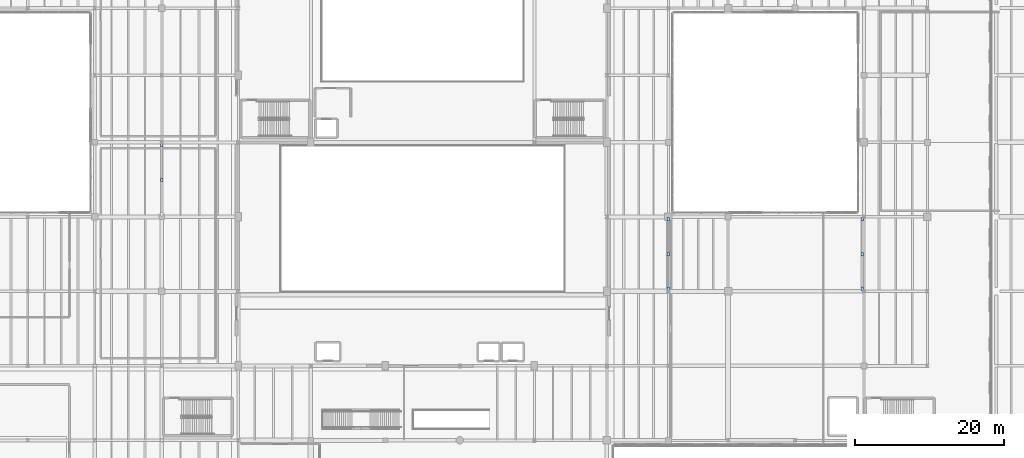
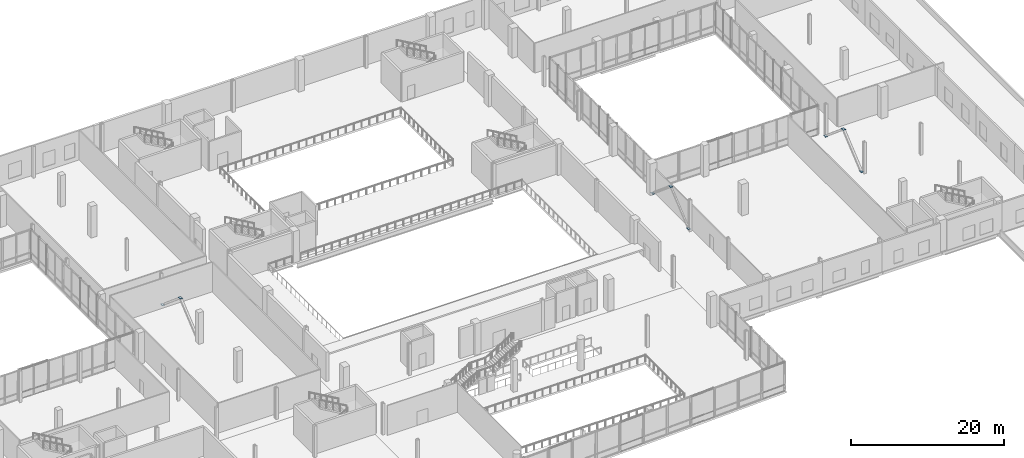
# One storey, part 52 of 73: 8 plates.
"""IFC4 building model written with IfcOpenShell, lengths in metres."""

from ifc_helpers import new_model, si_unit, direction, frame, origin, origin_2d, place, context, subcontext, project, spatial, rectangle, extrude, material, layer, layer_set, type_object, element, save


model = new_model("IFC4")

# Units and contexts
model_context = context("Model", 3, precision=1e-05, world=origin(), true_north=direction((0.0, 1.0)))
body_context = subcontext(model_context, "Body", "Model", "MODEL_VIEW")
ifc_project = project(units=[si_unit("LENGTHUNIT", "METRE"), si_unit("AREAUNIT", "SQUARE_METRE"), si_unit("VOLUMEUNIT", "CUBIC_METRE"), si_unit("PLANEANGLEUNIT", "RADIAN"), si_unit("MASSUNIT", "GRAM", prefix="KILO")], contexts=[model_context])

# Site, building, storey
site_placement = place(None, origin())
site = spatial("IfcSite", under=ifc_project, at=site_placement, CompositionType="ELEMENT")
building_placement = place(site_placement, origin())
building = spatial("IfcBuilding", under=site, at=building_placement, Name="Trimount Lyric Opera House", CompositionType="ELEMENT")
storey_placement = place(building_placement, frame((0.0, 0.0, 10.0)))
storey = spatial("IfcBuildingStorey", under=building, at=storey_placement, Name="L02", CompositionType="ELEMENT", Elevation=10.0)

# Plates
ifc_material = material(Name="Steel ASTM A572 Grade 50", Category="steel")
ifc_layer = layer(ifc_material, 0.02490234375)
ifc_layer_set = layer_set([ifc_layer], Name="KN-02")
plate_type = type_object("IfcPlateType", Name="KN-02", PredefinedType="USERDEFINED", material=ifc_layer_set)
for number, where, z_axis, x_axis, name in (
    (1, (54.0, 79.0, 4.03759765625), (0.0, 0.0, 1.0), (0.0, 1.0, 0.0), "L02 brace BRC-BF-2-L02-L1 end gusset plate B"),
    (2, (54.0, 83.64990234375, 0.137451171875), (0.0, 0.0, 1.0), (0.0, -1.0, 0.0), "L02 brace BRC-BF-2-L02-L2 end gusset plate A"),
    (3, (122.0, 64.35009765625, 0.137451171875), (0.0, 0.0, 1.0), (0.0, 1.0, 0.0), "L02 brace BRC-BF-3-L02-L1 end gusset plate A"),
    (4, (122.0, 69.0, 4.03759765625), (0.0, 0.0, 1.0), (0.0, 1.0, 0.0), "L02 brace BRC-BF-3-L02-L1 end gusset plate B"),
    (5, (122.0, 73.64990234375, 0.137451171875), (0.0, 0.0, 1.0), (0.0, -1.0, 0.0), "L02 brace BRC-BF-3-L02-L2 end gusset plate A"),
    (6, (148.0, 64.35009765625, 0.137451171875), (0.0, 0.0, 1.0), (0.0, 1.0, 0.0), "L02 brace BRC-BF-4-L02-L1 end gusset plate A"),
    (7, (148.0, 69.0, 4.03759765625), (0.0, 0.0, 1.0), (0.0, 1.0, 0.0), "L02 brace BRC-BF-4-L02-L1 end gusset plate B"),
    (8, (148.0, 73.64990234375, 0.137451171875), (0.0, 0.0, 1.0), (0.0, -1.0, 0.0), "L02 brace BRC-BF-4-L02-L2 end gusset plate A"),
):
    element("IfcPlate", number, at=place(storey_placement, frame(where, z_axis=z_axis, x_axis=x_axis)), inside=storey, type_object=plate_type, Name=name, ObjectType="GUSSET_PLATE", PredefinedType="USERDEFINED", context=body_context, shape_type="SweptSolid", body=[
        extrude(rectangle(XDim=0.47998046875, YDim=0.340087890625, at=origin_2d()), origin(), (0.0, 0.0, 1.0), 0.02490234375),
    ])

save(model, "model.ifc")
